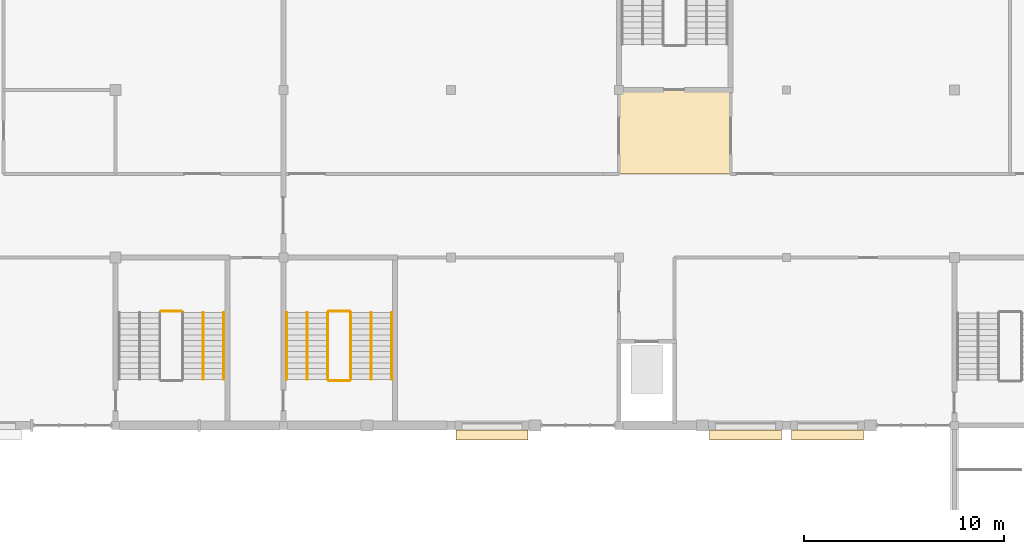
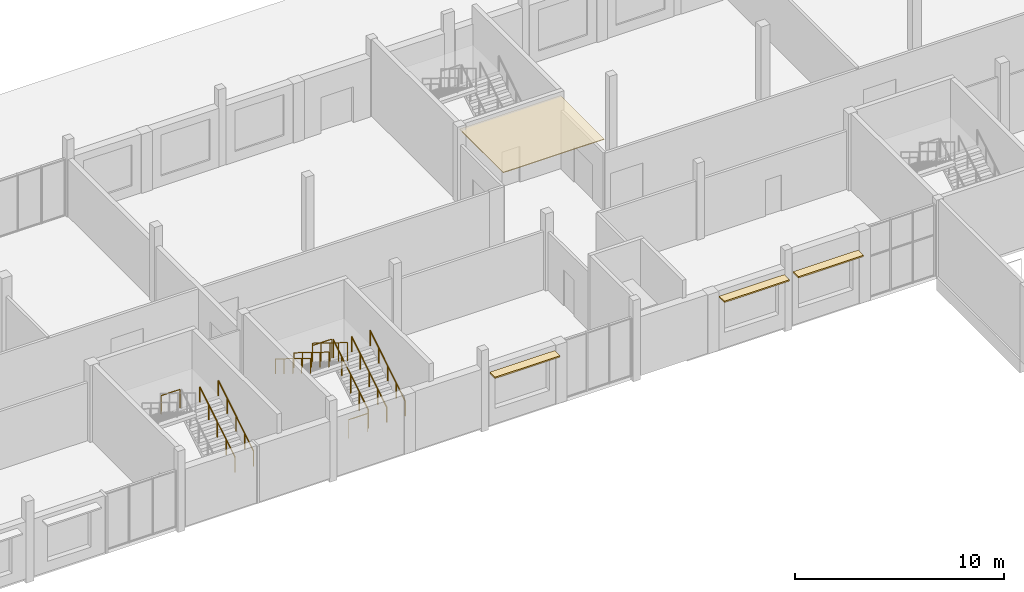
# One storey, part 96 of 101: 11 railings, 4 coverings.
"""IFC4 building model written with IfcOpenShell, lengths in metres."""

from ifc_helpers import new_model, si_unit, direction, frame, origin, origin_2d, place, context, subcontext, project, spatial, rectangle, circle, extrude, material, layer, layer_set, type_object, element, save


model = new_model("IFC4")

# Units and contexts
model_context = context("Model", 3, precision=1e-05, world=origin(), true_north=direction((0.0, 1.0)))
body_context = subcontext(model_context, "Body", "Model", "MODEL_VIEW")
ifc_project = project(units=[si_unit("LENGTHUNIT", "METRE"), si_unit("AREAUNIT", "SQUARE_METRE"), si_unit("VOLUMEUNIT", "CUBIC_METRE"), si_unit("PLANEANGLEUNIT", "RADIAN"), si_unit("MASSUNIT", "GRAM", prefix="KILO")], contexts=[model_context])

# Site, building, storey
site_placement = place(None, origin())
site = spatial("IfcSite", under=ifc_project, at=site_placement, CompositionType="ELEMENT")
building_placement = place(site_placement, origin())
building = spatial("IfcBuilding", under=site, at=building_placement, Name="Fescue Hill Polytechnic", CompositionType="ELEMENT")
storey_placement = place(building_placement, frame((0.0, 0.0, 9.0)))
storey = spatial("IfcBuildingStorey", under=building, at=storey_placement, Name="L02", CompositionType="ELEMENT", Elevation=9.0)

# Coverings
ifc_material_1 = material(Name="Precast concrete C40/50", Category="concrete")
ifc_layer = layer(ifc_material_1, 0.080078125)
ifc_layer_set = layer_set([ifc_layer], Name="Precast concrete C40/50")
covering_type = type_object("IfcCoveringType", Name="Shade blade precast 500x80", PredefinedType="CLADDING", material=ifc_layer_set)
for number, where, z_axis, x_axis, name in (
    (1, (69.25, 108.72509765625, 3.050048828125), (0.0, 0.0, 1.0), (1.0, 0.0, 0.0), "SB-L02-V4b-1"),
    (2, (81.949951171875, 108.72509765625, 3.050048828125), (0.0, 0.0, 1.0), (1.0, 0.0, 0.0), "SB-L02-V4b-2"),
    (3, (86.050048828125, 108.72509765625, 3.050048828125), (0.0, 0.0, 1.0), (1.0, 0.0, 0.0), "SB-L02-V4b-3"),
):
    element("IfcCovering", number, at=place(storey_placement, frame(where, z_axis=z_axis, x_axis=x_axis)), inside=storey, type_object=covering_type, Name=name, PredefinedType="CLADDING", context=body_context, shape_type="SweptSolid", body=[
        extrude(rectangle(XDim=3.60009765625, YDim=0.5, at=origin_2d()), origin(), (0.0, 0.0, 1.0), 0.080078125),
    ])

# Railings
ifc_material_2 = material(Name="Steel 350W (350 MPa)", Category="steel")
railing_type_1 = type_object("IfcRailingType", Name="Stair guard steel 1100", PredefinedType="GUARDRAIL", material=ifc_material_2)
railing_1_placement = place(storey_placement, frame((53.72509765625, 114.909912109375, 2.25)))
element("IfcRailing", 4, at=railing_1_placement, inside=storey, type_object=railing_type_1, Name="L02 ST-V5-4 stair guard 2", PredefinedType="GUARDRAIL", context=body_context, shape_type="SweptSolid", body=[
    extrude(circle(Radius=0.02392578125, at=origin_2d()), frame((0.0, 0.0, 1.076171875), z_axis=(-1.0, 0.0, 0.0), x_axis=(0.0, -1.0, 0.0)), (0.0, 0.0, 1.0), 1.050048828125),
    extrude(circle(Radius=0.02099609375, at=origin_2d()), origin(), (0.0, 0.0, 1.0), 1.052001953125),
    extrude(circle(Radius=0.02099609375, at=origin_2d()), frame((-1.050048828125, 0.0, 0.0)), (0.0, 0.0, 1.0), 1.052001953125),
])
railing_2_placement = place(storey_placement, frame((62.175048828125, 111.5, 0.173095703125)))
element("IfcRailing", 5, at=railing_2_placement, inside=storey, type_object=railing_type_1, Name="L02 ST-V4b-1 stair guard 1", PredefinedType="GUARDRAIL", context=body_context, shape_type="SweptSolid", body=[
    extrude(circle(Radius=0.02392578125, at=origin_2d()), frame((0.0, 0.0, 1.076171875), z_axis=(0.0, 0.850623216509, 0.525775754039), x_axis=(-1.0, 0.0, 0.0)), (0.0, 0.0, 1.0), 3.9501953125),
    extrude(circle(Radius=0.02099609375, at=origin_2d()), origin(), (0.0, 0.0, 1.0), 1.052001953125),
    extrude(circle(Radius=0.02099609375, at=origin_2d()), frame((0.0, 0.840087890625, 0.519287109375)), (0.0, 0.0, 1.0), 1.052001953125),
    extrude(circle(Radius=0.02099609375, at=origin_2d()), frame((0.0, 1.68017578125, 1.03857421875)), (0.0, 0.0, 1.0), 1.052001953125),
    extrude(circle(Radius=0.02099609375, at=origin_2d()), frame((0.0, 2.52001953125, 1.5576171875)), (0.0, 0.0, 1.0), 1.052001953125),
    extrude(circle(Radius=0.02099609375, at=origin_2d()), frame((0.0, 3.360107421875, 2.076904296875)), (0.0, 0.0, 1.0), 1.052001953125),
])
railing_3_placement = place(storey_placement, frame((62.125, 114.909912109375, 2.25)))
element("IfcRailing", 6, at=railing_3_placement, inside=storey, type_object=railing_type_1, Name="L02 ST-V4b-1 stair guard 2", PredefinedType="GUARDRAIL", context=body_context, shape_type="SweptSolid", body=[
    extrude(circle(Radius=0.02392578125, at=origin_2d()), frame((0.0, 0.0, 1.076171875), z_axis=(-1.0, 0.0, 0.0), x_axis=(0.0, -1.0, 0.0)), (0.0, 0.0, 1.0), 1.050048828125),
    extrude(circle(Radius=0.02099609375, at=origin_2d()), origin(), (0.0, 0.0, 1.0), 1.052001953125),
    extrude(circle(Radius=0.02099609375, at=origin_2d()), frame((-1.050048828125, 0.0, 0.0)), (0.0, 0.0, 1.0), 1.052001953125),
])
railing_4_placement = place(storey_placement, frame((61.02490234375, 114.860107421875, 2.423095703125)))
element("IfcRailing", 7, at=railing_4_placement, inside=storey, type_object=railing_type_1, Name="L02 ST-V4b-1 stair guard 3", PredefinedType="GUARDRAIL", context=body_context, shape_type="SweptSolid", body=[
    extrude(circle(Radius=0.02392578125, at=origin_2d()), frame((0.0, 0.0, 1.076171875), z_axis=(0.0, -0.850623216509, 0.525775754039), x_axis=(1.0, 0.0, 0.0)), (0.0, 0.0, 1.0), 3.9501953125),
    extrude(circle(Radius=0.02099609375, at=origin_2d()), origin(), (0.0, 0.0, 1.0), 1.052001953125),
    extrude(circle(Radius=0.02099609375, at=origin_2d()), frame((0.0, -0.840087890625, 0.519287109375)), (0.0, 0.0, 1.0), 1.052001953125),
    extrude(circle(Radius=0.02099609375, at=origin_2d()), frame((0.0, -1.68017578125, 1.03857421875)), (0.0, 0.0, 1.0), 1.052001953125),
    extrude(circle(Radius=0.02099609375, at=origin_2d()), frame((0.0, -2.52001953125, 1.5576171875)), (0.0, 0.0, 1.0), 1.052001953125),
    extrude(circle(Radius=0.02099609375, at=origin_2d()), frame((0.0, -3.360107421875, 2.076904296875)), (0.0, 0.0, 1.0), 1.052001953125),
])
railing_5_placement = place(storey_placement, frame((62.125, 111.449951171875, 0.0)))
element("IfcRailing", 8, at=railing_5_placement, inside=storey, type_object=railing_type_1, Name="L02 ST-V4b-1 stair guard 4", PredefinedType="GUARDRAIL", context=body_context, shape_type="SweptSolid", body=[
    extrude(circle(Radius=0.02392578125, at=origin_2d()), frame((0.0, 0.0, 1.076171875), z_axis=(-1.0, 0.0, 0.0), x_axis=(0.0, -1.0, 0.0)), (0.0, 0.0, 1.0), 1.050048828125),
    extrude(circle(Radius=0.02099609375, at=origin_2d()), origin(), (0.0, 0.0, 1.0), 1.052001953125),
    extrude(circle(Radius=0.02099609375, at=origin_2d()), frame((-1.050048828125, 0.0, 0.0)), (0.0, 0.0, 1.0), 1.052001953125),
])
railing_type_2 = type_object("IfcRailingType", Name="Stair handrail steel 900", PredefinedType="HANDRAIL", material=ifc_material_2)
for number, where, name in (
    (9, (55.824951171875, 111.5, 0.173095703125), "L02 ST-V5-4 stair handrail 1"),
    (10, (54.800048828125, 111.5, 0.173095703125), "L02 ST-V5-4 stair handrail 3"),
    (11, (64.22509765625, 111.5, 0.173095703125), "L02 ST-V4b-1 stair handrail 1"),
):
    element("IfcRailing", number, at=place(storey_placement, frame(where)), inside=storey, type_object=railing_type_2, Name=name, PredefinedType="HANDRAIL", context=body_context, shape_type="SweptSolid", body=[
        extrude(circle(Radius=0.02392578125, at=origin_2d()), frame((0.0, 0.0, 0.8759765625), z_axis=(0.0, 0.850623216509, 0.525775754039), x_axis=(-1.0, 0.0, 0.0)), (0.0, 0.0, 1.0), 3.9501953125),
        extrude(circle(Radius=0.02099609375, at=origin_2d()), origin(), (0.0, 0.0, 1.0), 0.851806640625),
        extrude(circle(Radius=0.02099609375, at=origin_2d()), frame((0.0, 0.840087890625, 0.519287109375)), (0.0, 0.0, 1.0), 0.851806640625),
        extrude(circle(Radius=0.02099609375, at=origin_2d()), frame((0.0, 1.68017578125, 1.03857421875)), (0.0, 0.0, 1.0), 0.851806640625),
        extrude(circle(Radius=0.02099609375, at=origin_2d()), frame((0.0, 2.52001953125, 1.5576171875)), (0.0, 0.0, 1.0), 0.851806640625),
        extrude(circle(Radius=0.02099609375, at=origin_2d()), frame((0.0, 3.360107421875, 2.076904296875)), (0.0, 0.0, 1.0), 0.851806640625),
    ])
railing_6_placement = place(storey_placement, frame((58.97509765625, 114.860107421875, 2.423095703125)))
element("IfcRailing", 12, at=railing_6_placement, inside=storey, type_object=railing_type_2, Name="L02 ST-V4b-1 stair handrail 2", PredefinedType="HANDRAIL", context=body_context, shape_type="SweptSolid", body=[
    extrude(circle(Radius=0.02392578125, at=origin_2d()), frame((0.0, 0.0, 0.8759765625), z_axis=(0.0, -0.850623216509, 0.525775754039), x_axis=(1.0, 0.0, 0.0)), (0.0, 0.0, 1.0), 3.9501953125),
    extrude(circle(Radius=0.02099609375, at=origin_2d()), origin(), (0.0, 0.0, 1.0), 0.851806640625),
    extrude(circle(Radius=0.02099609375, at=origin_2d()), frame((0.0, -0.840087890625, 0.519287109375)), (0.0, 0.0, 1.0), 0.851806640625),
    extrude(circle(Radius=0.02099609375, at=origin_2d()), frame((0.0, -1.68017578125, 1.03857421875)), (0.0, 0.0, 1.0), 0.851806640625),
    extrude(circle(Radius=0.02099609375, at=origin_2d()), frame((0.0, -2.52001953125, 1.5576171875)), (0.0, 0.0, 1.0), 0.851806640625),
    extrude(circle(Radius=0.02099609375, at=origin_2d()), frame((0.0, -3.360107421875, 2.076904296875)), (0.0, 0.0, 1.0), 0.851806640625),
])
railing_7_placement = place(storey_placement, frame((63.199951171875, 111.5, 0.173095703125)))
element("IfcRailing", 13, at=railing_7_placement, inside=storey, type_object=railing_type_2, Name="L02 ST-V4b-1 stair handrail 3", PredefinedType="HANDRAIL", context=body_context, shape_type="SweptSolid", body=[
    extrude(circle(Radius=0.02392578125, at=origin_2d()), frame((0.0, 0.0, 0.8759765625), z_axis=(0.0, 0.850623216509, 0.525775754039), x_axis=(-1.0, 0.0, 0.0)), (0.0, 0.0, 1.0), 3.9501953125),
    extrude(circle(Radius=0.02099609375, at=origin_2d()), origin(), (0.0, 0.0, 1.0), 0.851806640625),
    extrude(circle(Radius=0.02099609375, at=origin_2d()), frame((0.0, 0.840087890625, 0.519287109375)), (0.0, 0.0, 1.0), 0.851806640625),
    extrude(circle(Radius=0.02099609375, at=origin_2d()), frame((0.0, 1.68017578125, 1.03857421875)), (0.0, 0.0, 1.0), 0.851806640625),
    extrude(circle(Radius=0.02099609375, at=origin_2d()), frame((0.0, 2.52001953125, 1.5576171875)), (0.0, 0.0, 1.0), 0.851806640625),
    extrude(circle(Radius=0.02099609375, at=origin_2d()), frame((0.0, 3.360107421875, 2.076904296875)), (0.0, 0.0, 1.0), 0.851806640625),
])
railing_8_placement = place(storey_placement, frame((60.0, 114.860107421875, 2.423095703125)))
element("IfcRailing", 14, at=railing_8_placement, inside=storey, type_object=railing_type_2, Name="L02 ST-V4b-1 stair handrail 4", PredefinedType="HANDRAIL", context=body_context, shape_type="SweptSolid", body=[
    extrude(circle(Radius=0.02392578125, at=origin_2d()), frame((0.0, 0.0, 0.8759765625), z_axis=(0.0, -0.850623216509, 0.525775754039), x_axis=(1.0, 0.0, 0.0)), (0.0, 0.0, 1.0), 3.9501953125),
    extrude(circle(Radius=0.02099609375, at=origin_2d()), origin(), (0.0, 0.0, 1.0), 0.851806640625),
    extrude(circle(Radius=0.02099609375, at=origin_2d()), frame((0.0, -0.840087890625, 0.519287109375)), (0.0, 0.0, 1.0), 0.851806640625),
    extrude(circle(Radius=0.02099609375, at=origin_2d()), frame((0.0, -1.68017578125, 1.03857421875)), (0.0, 0.0, 1.0), 0.851806640625),
    extrude(circle(Radius=0.02099609375, at=origin_2d()), frame((0.0, -2.52001953125, 1.5576171875)), (0.0, 0.0, 1.0), 0.851806640625),
    extrude(circle(Radius=0.02099609375, at=origin_2d()), frame((0.0, -3.360107421875, 2.076904296875)), (0.0, 0.0, 1.0), 0.851806640625),
])

# Covering
covering_placement = place(storey_placement, frame((78.39990234375, 123.89990234375, 4.14990234375), z_axis=(0.0, 0.0, 1.0), x_axis=(1.0, 0.0, 0.0)))
element("IfcCovering", 15, at=covering_placement, inside=storey, Name="Ceiling Corridor 2.94", PredefinedType="CEILING", context=body_context, shape_type="SweptSolid", body=[
    extrude(rectangle(XDim=5.60009765625, YDim=4.199951171875, at=origin_2d()), origin(), (0.0, 0.0, 1.0), 0.0400390625),
])

save(model, "model.ifc")
